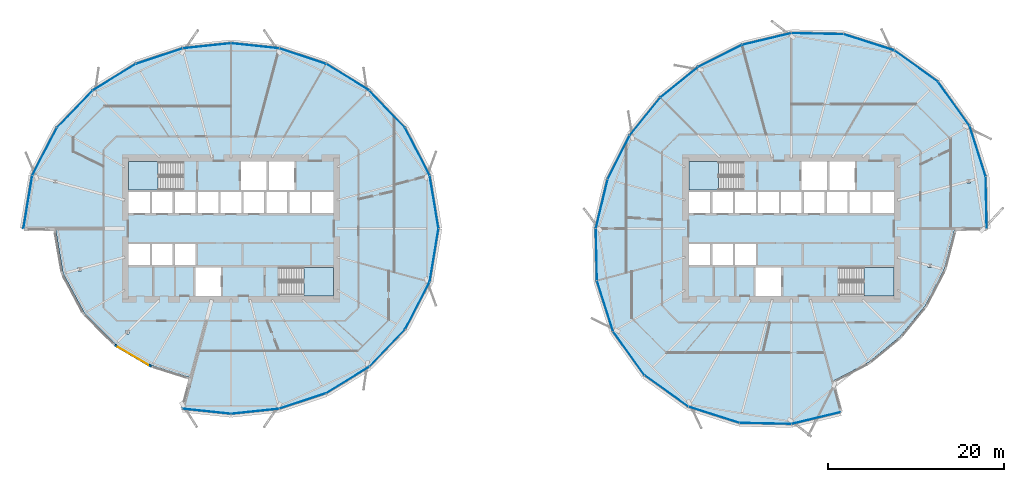
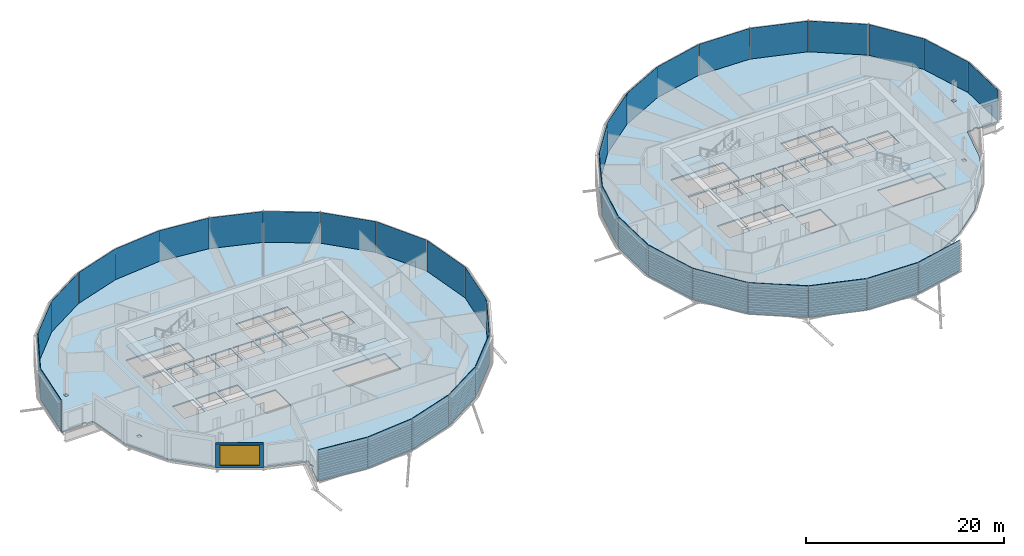
# One storey, part 19 of 39: 38 plates, 6 slabs, 1 wall, 1 window, 1 opening, 6 elements without a shape of their own.
"""IFC4 building model written with IfcOpenShell, lengths in metres."""

from ifc_helpers import new_model, si_unit, direction, frame, frame_2d, origin, origin_2d, place, context, subcontext, project, spatial, polyline, rectangle, outline, extrude, material, layer, layer_set, type_object, element, fill, aggregate, save


model = new_model("IFC4")

# Units and contexts
model_context = context("Model", 3, precision=1e-05, world=origin(), true_north=direction((0.0, 1.0)))
body_context = subcontext(model_context, "Body", "Model", "MODEL_VIEW")
ifc_project = project(units=[si_unit("LENGTHUNIT", "METRE"), si_unit("AREAUNIT", "SQUARE_METRE"), si_unit("VOLUMEUNIT", "CUBIC_METRE"), si_unit("PLANEANGLEUNIT", "RADIAN"), si_unit("MASSUNIT", "GRAM", prefix="KILO")], contexts=[model_context])

# Site, building, storey
site_placement = place(None, origin())
site = spatial("IfcSite", under=ifc_project, at=site_placement, CompositionType="ELEMENT")
building_placement = place(site_placement, origin())
building = spatial("IfcBuilding", under=site, at=building_placement, Name="Rimbun Link Towers", CompositionType="ELEMENT")
storey_placement = place(building_placement, frame((0.0, 0.0, 100.60009765625)))
storey = spatial("IfcBuildingStorey", under=building, at=storey_placement, Name="L24", CompositionType="ELEMENT", Elevation=100.60009765625)

# Slabs
ifc_material_1 = material(Name="Concrete C35/45", Category="concrete")
ifc_layer_1 = layer(ifc_material_1, 0.159912109375)
ifc_layer_set_1 = layer_set([ifc_layer_1], Name="COMPOSITE FLOOR 160")
slab_type_1 = type_object("IfcSlabType", Name="COMPOSITE FLOOR 160", PredefinedType="FLOOR", material=ifc_layer_set_1)
slab_1_placement = place(storey_placement, frame((0.0, 0.0, -0.16015625)))
element("IfcSlab", 1, at=slab_1_placement, inside=storey, type_object=slab_type_1, Name="Floor slab T1 L24", PredefinedType="FLOOR", context=body_context, shape_type="SweptSolid", body=[
    extrude(outline(polyline([(-55.244384765625, 0.0), (-54.252685546875, 6.029541015625), (-51.47900390625, 11.390380859375), (-47.397705078125, 15.647705078125), (-42.514892578125, 18.6455078125), (-37.216552734375, 20.4013671875), (-31.75, 20.97705078125), (-26.283447265625, 20.4013671875), (-20.985107421875, 18.6455078125), (-16.102294921875, 15.647705078125), (-12.02099609375, 11.390380859375), (-9.247314453125, 6.029541015625), (-8.255615234375, 0.0), (-9.247314453125, -6.029541015625), (-12.02099609375, -11.390380859375), (-16.102294921875, -15.647705078125), (-20.985107421875, -18.6455078125), (-26.283447265625, -20.4013671875), (-31.75, -20.97705078125), (-37.216552734375, -20.4013671875), (-36.580810546875, -18.029296875), (-36.32861328125, -18.029296875), (-36.32861328125, -17.6357421875), (-36.4755859375, -17.6357421875), (-36.284912109375, -16.924072265625), (-40.715087890625, -15.52783203125), (-44.85205078125, -13.10205078125), (-48.361083984375, -9.590576171875), (-50.775390625, -5.097900390625), (-51.644287109375, 0.0), (-52.363525390625, 0.0), (-52.363525390625, 0.19677734375), (-52.7626953125, 0.19677734375), (-52.7626953125, 0.0), (-55.244384765625, 0.0)]), holes=[polyline([(-43.294921875, -11.94140625), (-43.294921875, -11.547607421875), (-43.694091796875, -11.547607421875), (-43.694091796875, -11.94140625), (-43.294921875, -11.94140625)]), polyline([(-48.6826171875, -4.787353515625), (-48.6826171875, -4.393798828125), (-49.081787109375, -4.393798828125), (-49.081787109375, -4.787353515625), (-48.6826171875, -4.787353515625)]), polyline([(-40.95556640625, -4.14990234375), (-40.95556640625, -1.75), (-43.375, -1.75), (-43.375, -4.14990234375), (-40.95556640625, -4.14990234375)]), polyline([(-40.70556640625, -4.14990234375), (-38.361083984375, -4.14990234375), (-38.361083984375, -1.75), (-40.70556640625, -1.75), (-40.70556640625, -4.14990234375)]), polyline([(-38.111083984375, -4.14990234375), (-35.7666015625, -4.14990234375), (-35.7666015625, -1.75), (-38.111083984375, -1.75), (-38.111083984375, -4.14990234375)]), polyline([(-43.375, 1.75), (-40.95556640625, 1.75), (-40.95556640625, 4.14990234375), (-43.375, 4.14990234375), (-43.375, 1.75)]), polyline([(-40.70556640625, 1.75), (-38.361083984375, 1.75), (-38.361083984375, 4.14990234375), (-40.70556640625, 4.14990234375), (-40.70556640625, 1.75)]), polyline([(-35.7666015625, 1.75), (-35.7666015625, 4.14990234375), (-38.111083984375, 4.14990234375), (-38.111083984375, 1.75), (-35.7666015625, 1.75)]), polyline([(-51.86279296875, 5.138916015625), (-51.4638671875, 5.138916015625), (-51.4638671875, 5.532470703125), (-51.86279296875, 5.532470703125), (-51.86279296875, 5.138916015625)]), polyline([(-43.375, 4.39990234375), (-37.260009765625, 4.39990234375), (-37.260009765625, 7.625), (-43.375, 7.625), (-43.375, 4.39990234375)]), polyline([(-32.89990234375, -7.625), (-32.89990234375, -4.39990234375), (-35.800048828125, -4.39990234375), (-35.800048828125, -7.625), (-32.89990234375, -7.625)]), polyline([(-20.125, -7.625), (-20.125, -4.39990234375), (-26.239990234375, -4.39990234375), (-26.239990234375, -7.625), (-20.125, -7.625)]), polyline([(-35.5166015625, 1.75), (-33.172119140625, 1.75), (-33.172119140625, 4.14990234375), (-35.5166015625, 4.14990234375), (-35.5166015625, 1.75)]), polyline([(-32.922119140625, 1.75), (-30.577880859375, 1.75), (-30.577880859375, 4.14990234375), (-32.922119140625, 4.14990234375), (-32.922119140625, 1.75)]), polyline([(-27.9833984375, 1.75), (-27.9833984375, 4.14990234375), (-30.327880859375, 4.14990234375), (-30.327880859375, 1.75), (-27.9833984375, 1.75)]), polyline([(-27.7333984375, 1.75), (-25.388916015625, 1.75), (-25.388916015625, 4.14990234375), (-27.7333984375, 4.14990234375), (-27.7333984375, 1.75)]), polyline([(-25.138916015625, 1.75), (-22.79443359375, 1.75), (-22.79443359375, 4.14990234375), (-25.138916015625, 4.14990234375), (-25.138916015625, 1.75)]), polyline([(-20.125, 1.75), (-20.125, 4.14990234375), (-22.54443359375, 4.14990234375), (-22.54443359375, 1.75), (-20.125, 1.75)]), polyline([(-30.60009765625, 4.39990234375), (-27.699951171875, 4.39990234375), (-27.699951171875, 7.625), (-30.60009765625, 7.625), (-30.60009765625, 4.39990234375)]), polyline([(-27.449951171875, 4.39990234375), (-24.550048828125, 4.39990234375), (-24.550048828125, 7.625), (-27.449951171875, 7.625), (-27.449951171875, 4.39990234375)])]), origin(), (0.0, 0.0, 1.0), 0.16015625),
])
slab_2_placement = place(storey_placement, frame((0.0, 0.0, -0.16015625)))
element("IfcSlab", 2, at=slab_2_placement, inside=storey, type_object=slab_type_1, Name="Floor slab T2 L24", PredefinedType="FLOOR", context=body_context, shape_type="SweptSolid", body=[
    extrude(outline(polyline([(50.279052734375, 0.0), (49.069091796875, -4.640625), (46.923583984375, -8.760498046875), (44.037353515625, -12.287353515625), (40.510498046875, -15.173583984375), (36.390625, -17.319091796875), (37.322509765625, -20.79638671875), (31.75, -22.12890625), (25.853759765625, -22.0048828125), (20.101806640625, -20.175537109375), (15.136962890625, -16.613037109375), (11.574462890625, -11.648193359375), (9.7451171875, -5.896240234375), (9.62109375, 0.0), (10.95361328125, 5.572509765625), (13.458740234375, 10.560546875), (16.9169921875, 14.8330078125), (21.189453125, 18.291259765625), (26.177490234375, 20.79638671875), (31.75, 22.12890625), (37.646240234375, 22.0048828125), (43.398193359375, 20.175537109375), (48.363037109375, 16.613037109375), (51.925537109375, 11.648193359375), (53.7548828125, 5.896240234375), (53.87890625, 0.0), (51.475830078125, 0.0), (51.475830078125, 0.19677734375), (51.076904296875, 0.19677734375), (51.076904296875, 0.0), (50.279052734375, 0.0)]), holes=[polyline([(30.60009765625, -7.625), (30.60009765625, -4.39990234375), (27.699951171875, -4.39990234375), (27.699951171875, -7.625), (30.60009765625, -7.625)]), polyline([(22.54443359375, -4.14990234375), (22.54443359375, -1.75), (20.125, -1.75), (20.125, -4.14990234375), (22.54443359375, -4.14990234375)]), polyline([(25.138916015625, -4.14990234375), (25.138916015625, -1.75), (22.79443359375, -1.75), (22.79443359375, -4.14990234375), (25.138916015625, -4.14990234375)]), polyline([(25.388916015625, -4.14990234375), (27.7333984375, -4.14990234375), (27.7333984375, -1.75), (25.388916015625, -1.75), (25.388916015625, -4.14990234375)]), polyline([(20.125, 1.75), (22.54443359375, 1.75), (22.54443359375, 4.14990234375), (20.125, 4.14990234375), (20.125, 1.75)]), polyline([(25.138916015625, 1.75), (25.138916015625, 4.14990234375), (22.79443359375, 4.14990234375), (22.79443359375, 1.75), (25.138916015625, 1.75)]), polyline([(27.7333984375, 1.75), (27.7333984375, 4.14990234375), (25.388916015625, 4.14990234375), (25.388916015625, 1.75), (27.7333984375, 1.75)]), polyline([(30.327880859375, 1.75), (30.327880859375, 4.14990234375), (27.9833984375, 4.14990234375), (27.9833984375, 1.75), (30.327880859375, 1.75)]), polyline([(30.577880859375, 1.75), (32.922119140625, 1.75), (32.922119140625, 4.14990234375), (30.577880859375, 4.14990234375), (30.577880859375, 1.75)]), polyline([(20.125, 4.39990234375), (26.239990234375, 4.39990234375), (26.239990234375, 7.625), (20.125, 7.625), (20.125, 4.39990234375)]), polyline([(43.375, -7.625), (43.375, -4.39990234375), (37.260009765625, -4.39990234375), (37.260009765625, -7.625), (43.375, -7.625)]), polyline([(47.659423828125, -4.40625), (47.659423828125, -4.0126953125), (47.260498046875, -4.0126953125), (47.260498046875, -4.40625), (47.659423828125, -4.40625)]), polyline([(33.172119140625, 1.75), (35.5166015625, 1.75), (35.5166015625, 4.14990234375), (33.172119140625, 4.14990234375), (33.172119140625, 1.75)]), polyline([(35.7666015625, 1.75), (38.111083984375, 1.75), (38.111083984375, 4.14990234375), (35.7666015625, 4.14990234375), (35.7666015625, 1.75)]), polyline([(40.70556640625, 1.75), (40.70556640625, 4.14990234375), (38.361083984375, 4.14990234375), (38.361083984375, 1.75), (40.70556640625, 1.75)]), polyline([(43.375, 1.75), (43.375, 4.14990234375), (40.95556640625, 4.14990234375), (40.95556640625, 1.75), (43.375, 1.75)]), polyline([(52.039794921875, 5.186279296875), (52.039794921875, 5.580078125), (51.640625, 5.580078125), (51.640625, 5.186279296875), (52.039794921875, 5.186279296875)]), polyline([(32.89990234375, 4.39990234375), (35.800048828125, 4.39990234375), (35.800048828125, 7.625), (32.89990234375, 7.625), (32.89990234375, 4.39990234375)]), polyline([(36.050048828125, 4.39990234375), (38.949951171875, 4.39990234375), (38.949951171875, 7.625), (36.050048828125, 7.625), (36.050048828125, 4.39990234375)])]), origin(), (0.0, 0.0, 1.0), 0.16015625),
])

# Curtain wall, plates
ifc_material_2 = material(Name="Aluminium 6063-T6 and low-iron glass", Category="aluminium")
curtain_wall_type = type_object("IfcCurtainWallType", Name="CW1-Z2 unitised vision wall (zone 2)", PredefinedType="NOTDEFINED", material=ifc_material_2)
curtain_wall_1_placement = place(storey_placement, origin())
curtain_wall_1 = element("IfcCurtainWall", 3, at=curtain_wall_1_placement, inside=storey, type_object=curtain_wall_type, Name="CW1 L24 T1", PredefinedType="NOTDEFINED")
ifc_material_3 = material(Name="Low-iron glass, laminated low-e unit", Category="glass")
ifc_layer_2 = layer(ifc_material_3, 0.028076171875)
ifc_layer_set_2 = layer_set([ifc_layer_2], Name="CW1 panel Low-iron glass 28")
plate_type = type_object("IfcPlateType", Name="CW1 panel Low-iron glass 28", PredefinedType="CURTAIN_PANEL", material=ifc_layer_set_2)
plate_1_placement = place(storey_placement, frame((-8.737548828125, 3.01708984375, 0.0), z_axis=(0.0, 0.0, 1.0), x_axis=(0.162259642251, -0.986748097792, 0.0)))
plate_1 = element("IfcPlate", 4, at=plate_1_placement, type_object=plate_type, Name="CW1 panel", PredefinedType="CURTAIN_PANEL", context=body_context, shape_type="SweptSolid", body=[
    extrude(rectangle(XDim=6.070556640625, YDim=0.028076171875, at=origin_2d()), origin(), (0.0, 0.0, 1.0), 3.800048828125),
])
plate_2_placement = place(storey_placement, frame((-10.621826171875, 8.716552734375, 0.0), z_axis=(0.0, 0.0, 1.0), x_axis=(0.45955632125, -0.888148629228, 0.0)))
plate_2 = element("IfcPlate", 5, at=plate_2_placement, type_object=plate_type, Name="CW1 panel", PredefinedType="CURTAIN_PANEL", context=body_context, shape_type="SweptSolid", body=[
    extrude(rectangle(XDim=5.99609375, YDim=0.028076171875, at=origin_2d()), origin(), (0.0, 0.0, 1.0), 3.800048828125),
])
plate_3_placement = place(storey_placement, frame((-14.0517578125, 13.52880859375, 0.0), z_axis=(0.0, 0.0, 1.0), x_axis=(0.692044930546, -0.721854427226, 0.0)))
plate_3 = element("IfcPlate", 6, at=plate_3_placement, type_object=plate_type, Name="CW1 panel", PredefinedType="CURTAIN_PANEL", context=body_context, shape_type="SweptSolid", body=[
    extrude(rectangle(XDim=5.857421875, YDim=0.028076171875, at=origin_2d()), origin(), (0.0, 0.0, 1.0), 3.800048828125),
])
plate_4_placement = place(storey_placement, frame((-18.536376953125, 17.158447265625, 0.0), z_axis=(0.0, 0.0, 1.0), x_axis=(0.852185835011, -0.523239240316, 0.0)))
plate_4 = element("IfcPlate", 7, at=plate_4_placement, type_object=plate_type, Name="CW1 panel", PredefinedType="CURTAIN_PANEL", context=body_context, shape_type="SweptSolid", body=[
    extrude(rectangle(XDim=5.689453125, YDim=0.028076171875, at=origin_2d()), origin(), (0.0, 0.0, 1.0), 3.800048828125),
])
plate_5_placement = place(storey_placement, frame((-23.6298828125, 19.53662109375, 0.0), z_axis=(0.0, 0.0, 1.0), x_axis=(0.949238989505, -0.314555783293, 0.0)))
plate_5 = element("IfcPlate", 8, at=plate_5_placement, type_object=plate_type, Name="CW1 panel", PredefinedType="CURTAIN_PANEL", context=body_context, shape_type="SweptSolid", body=[
    extrude(rectangle(XDim=5.541748046875, YDim=0.028076171875, at=origin_2d()), origin(), (0.0, 0.0, 1.0), 3.800048828125),
])
plate_6_placement = place(storey_placement, frame((-29.015380859375, 20.703125, 0.0), z_axis=(0.0, 0.0, 1.0), x_axis=(0.994500168315, -0.104734976112, 0.0)))
plate_6 = element("IfcPlate", 9, at=plate_6_placement, type_object=plate_type, Name="CW1 panel", PredefinedType="CURTAIN_PANEL", context=body_context, shape_type="SweptSolid", body=[
    extrude(rectangle(XDim=5.456787109375, YDim=0.028076171875, at=origin_2d()), origin(), (0.0, 0.0, 1.0), 3.800048828125),
])
plate_7_placement = place(storey_placement, frame((-34.484619140625, 20.703125, 0.0), z_axis=(0.0, 0.0, 1.0), x_axis=(0.994500168315, 0.104734976112, 0.0)))
plate_7 = element("IfcPlate", 10, at=plate_7_placement, type_object=plate_type, Name="CW1 panel", PredefinedType="CURTAIN_PANEL", context=body_context, shape_type="SweptSolid", body=[
    extrude(rectangle(XDim=5.456787109375, YDim=0.028076171875, at=origin_2d()), origin(), (0.0, 0.0, 1.0), 3.800048828125),
])
plate_8_placement = place(storey_placement, frame((-39.8701171875, 19.53662109375, 0.0), z_axis=(0.0, 0.0, 1.0), x_axis=(0.949238989505, 0.314555783293, 0.0)))
plate_8 = element("IfcPlate", 11, at=plate_8_placement, type_object=plate_type, Name="CW1 panel", PredefinedType="CURTAIN_PANEL", context=body_context, shape_type="SweptSolid", body=[
    extrude(rectangle(XDim=5.541748046875, YDim=0.028076171875, at=origin_2d()), origin(), (0.0, 0.0, 1.0), 3.800048828125),
])
plate_9_placement = place(storey_placement, frame((-44.963623046875, 17.158447265625, 0.0), z_axis=(0.0, 0.0, 1.0), x_axis=(0.852185835011, 0.523239240316, 0.0)))
plate_9 = element("IfcPlate", 12, at=plate_9_placement, type_object=plate_type, Name="CW1 panel", PredefinedType="CURTAIN_PANEL", context=body_context, shape_type="SweptSolid", body=[
    extrude(rectangle(XDim=5.689453125, YDim=0.028076171875, at=origin_2d()), origin(), (0.0, 0.0, 1.0), 3.800048828125),
])
plate_10_placement = place(storey_placement, frame((-49.4482421875, 13.52880859375, 0.0), z_axis=(0.0, 0.0, 1.0), x_axis=(0.692044930546, 0.721854427226, 0.0)))
plate_10 = element("IfcPlate", 13, at=plate_10_placement, type_object=plate_type, Name="CW1 panel", PredefinedType="CURTAIN_PANEL", context=body_context, shape_type="SweptSolid", body=[
    extrude(rectangle(XDim=5.857421875, YDim=0.028076171875, at=origin_2d()), origin(), (0.0, 0.0, 1.0), 3.800048828125),
])
plate_11_placement = place(storey_placement, frame((-52.878173828125, 8.716552734375, 0.0), z_axis=(0.0, 0.0, 1.0), x_axis=(0.45955632125, 0.888148629228, 0.0)))
plate_11 = element("IfcPlate", 14, at=plate_11_placement, type_object=plate_type, Name="CW1 panel", PredefinedType="CURTAIN_PANEL", context=body_context, shape_type="SweptSolid", body=[
    extrude(rectangle(XDim=5.99609375, YDim=0.028076171875, at=origin_2d()), origin(), (0.0, 0.0, 1.0), 3.800048828125),
])
plate_12_placement = place(storey_placement, frame((-54.762451171875, 3.01708984375, 0.0), z_axis=(0.0, 0.0, 1.0), x_axis=(0.162259642251, 0.986748097792, 0.0)))
plate_12 = element("IfcPlate", 15, at=plate_12_placement, type_object=plate_type, Name="CW1 panel", PredefinedType="CURTAIN_PANEL", context=body_context, shape_type="SweptSolid", body=[
    extrude(rectangle(XDim=6.070556640625, YDim=0.028076171875, at=origin_2d()), origin(), (0.0, 0.0, 1.0), 3.800048828125),
])
plate_13_placement = place(storey_placement, frame((-34.484619140625, -20.703125, 0.0), z_axis=(0.0, 0.0, 1.0), x_axis=(-0.994500168315, 0.104734976112, 0.0)))
plate_13 = element("IfcPlate", 16, at=plate_13_placement, type_object=plate_type, Name="CW1 panel", PredefinedType="CURTAIN_PANEL", context=body_context, shape_type="SweptSolid", body=[
    extrude(rectangle(XDim=5.456787109375, YDim=0.028076171875, at=origin_2d()), origin(), (0.0, 0.0, 1.0), 3.800048828125),
])
plate_14_placement = place(storey_placement, frame((-29.015380859375, -20.703125, 0.0), z_axis=(0.0, 0.0, 1.0), x_axis=(-0.994500168315, -0.104734976112, 0.0)))
plate_14 = element("IfcPlate", 17, at=plate_14_placement, type_object=plate_type, Name="CW1 panel", PredefinedType="CURTAIN_PANEL", context=body_context, shape_type="SweptSolid", body=[
    extrude(rectangle(XDim=5.456787109375, YDim=0.028076171875, at=origin_2d()), origin(), (0.0, 0.0, 1.0), 3.800048828125),
])
plate_15_placement = place(storey_placement, frame((-23.6298828125, -19.53662109375, 0.0), z_axis=(0.0, 0.0, 1.0), x_axis=(-0.949238989505, -0.314555783293, 0.0)))
plate_15 = element("IfcPlate", 18, at=plate_15_placement, type_object=plate_type, Name="CW1 panel", PredefinedType="CURTAIN_PANEL", context=body_context, shape_type="SweptSolid", body=[
    extrude(rectangle(XDim=5.541748046875, YDim=0.028076171875, at=origin_2d()), origin(), (0.0, 0.0, 1.0), 3.800048828125),
])
plate_16_placement = place(storey_placement, frame((-18.536376953125, -17.158447265625, 0.0), z_axis=(0.0, 0.0, 1.0), x_axis=(-0.852185835011, -0.523239240316, 0.0)))
plate_16 = element("IfcPlate", 19, at=plate_16_placement, type_object=plate_type, Name="CW1 panel", PredefinedType="CURTAIN_PANEL", context=body_context, shape_type="SweptSolid", body=[
    extrude(rectangle(XDim=5.689453125, YDim=0.028076171875, at=origin_2d()), origin(), (0.0, 0.0, 1.0), 3.800048828125),
])
plate_17_placement = place(storey_placement, frame((-14.0517578125, -13.52880859375, 0.0), z_axis=(0.0, 0.0, 1.0), x_axis=(-0.692044930546, -0.721854427226, 0.0)))
plate_17 = element("IfcPlate", 20, at=plate_17_placement, type_object=plate_type, Name="CW1 panel", PredefinedType="CURTAIN_PANEL", context=body_context, shape_type="SweptSolid", body=[
    extrude(rectangle(XDim=5.857421875, YDim=0.028076171875, at=origin_2d()), origin(), (0.0, 0.0, 1.0), 3.800048828125),
])
plate_18_placement = place(storey_placement, frame((-10.621826171875, -8.716552734375, 0.0), z_axis=(0.0, 0.0, 1.0), x_axis=(-0.45955632125, -0.888148629228, 0.0)))
plate_18 = element("IfcPlate", 21, at=plate_18_placement, type_object=plate_type, Name="CW1 panel", PredefinedType="CURTAIN_PANEL", context=body_context, shape_type="SweptSolid", body=[
    extrude(rectangle(XDim=5.99609375, YDim=0.028076171875, at=origin_2d()), origin(), (0.0, 0.0, 1.0), 3.800048828125),
])
plate_19_placement = place(storey_placement, frame((-8.737548828125, -3.01708984375, 0.0), z_axis=(0.0, 0.0, 1.0), x_axis=(-0.162259642251, -0.986748097792, 0.0)))
plate_19 = element("IfcPlate", 22, at=plate_19_placement, type_object=plate_type, Name="CW1 panel", PredefinedType="CURTAIN_PANEL", context=body_context, shape_type="SweptSolid", body=[
    extrude(rectangle(XDim=6.070556640625, YDim=0.028076171875, at=origin_2d()), origin(), (0.0, 0.0, 1.0), 3.800048828125),
])
aggregate(curtain_wall_1, [plate_1, plate_2, plate_3, plate_4, plate_5, plate_6, plate_7, plate_8, plate_9, plate_10, plate_11, plate_12, plate_13, plate_14, plate_15, plate_16, plate_17, plate_18, plate_19])

curtain_wall_2_placement = place(storey_placement, origin())
curtain_wall_2 = element("IfcCurtainWall", 23, at=curtain_wall_2_placement, inside=storey, type_object=curtain_wall_type, Name="CW1 L24 T2", PredefinedType="NOTDEFINED")
plate_20_placement = place(storey_placement, frame((45.888916015625, 18.405517578125, 0.0), z_axis=(0.0, 0.0, 1.0), x_axis=(0.812471013588, -0.583001588402, 0.0)))
plate_20 = element("IfcPlate", 24, at=plate_20_placement, type_object=plate_type, Name="CW1 panel", PredefinedType="CURTAIN_PANEL", context=body_context, shape_type="SweptSolid", body=[
    extrude(rectangle(XDim=6.070556640625, YDim=0.028076171875, at=origin_2d()), origin(), (0.0, 0.0, 1.0), 3.800048828125),
])
plate_21_placement = place(storey_placement, frame((40.526611328125, 21.103515625, 0.0), z_axis=(0.0, 0.0, 1.0), x_axis=(0.952969504125, -0.30306620433, 0.0)))
plate_21 = element("IfcPlate", 25, at=plate_21_placement, type_object=plate_type, Name="CW1 panel", PredefinedType="CURTAIN_PANEL", context=body_context, shape_type="SweptSolid", body=[
    extrude(rectangle(XDim=5.99609375, YDim=0.028076171875, at=origin_2d()), origin(), (0.0, 0.0, 1.0), 3.800048828125),
])
plate_22_placement = place(storey_placement, frame((34.698486328125, 22.080810546875, 0.0), z_axis=(0.0, 0.0, 1.0), x_axis=(0.999778219026, -0.021059742681, 0.0)))
plate_22 = element("IfcPlate", 26, at=plate_22_placement, type_object=plate_type, Name="CW1 panel", PredefinedType="CURTAIN_PANEL", context=body_context, shape_type="SweptSolid", body=[
    extrude(rectangle(XDim=5.857421875, YDim=0.028076171875, at=origin_2d()), origin(), (0.0, 0.0, 1.0), 3.800048828125),
])
plate_23_placement = place(storey_placement, frame((28.96044921875, 21.476318359375, 0.0), z_axis=(0.0, 0.0, 1.0), x_axis=(0.972572197016, 0.232601207201, 0.0)))
plate_23 = element("IfcPlate", 27, at=plate_23_placement, type_object=plate_type, Name="CW1 panel", PredefinedType="CURTAIN_PANEL", context=body_context, shape_type="SweptSolid", body=[
    extrude(rectangle(XDim=5.689453125, YDim=0.028076171875, at=origin_2d()), origin(), (0.0, 0.0, 1.0), 3.800048828125),
])
plate_24_placement = place(storey_placement, frame((23.67724609375, 19.556396484375, 0.0), z_axis=(0.0, 0.0, 1.0), x_axis=(0.893641116942, 0.448782301468, 0.0)))
plate_24 = element("IfcPlate", 28, at=plate_24_placement, type_object=plate_type, Name="CW1 panel", PredefinedType="CURTAIN_PANEL", context=body_context, shape_type="SweptSolid", body=[
    extrude(rectangle(XDim=5.541748046875, YDim=0.028076171875, at=origin_2d()), origin(), (0.0, 0.0, 1.0), 3.800048828125),
])
plate_25_placement = place(storey_placement, frame((19.04443359375, 16.572998046875, 0.0), z_axis=(0.0, 0.0, 1.0), x_axis=(0.777279609946, 0.629155313069, 0.0)))
plate_25 = element("IfcPlate", 29, at=plate_25_placement, type_object=plate_type, Name="CW1 panel", PredefinedType="CURTAIN_PANEL", context=body_context, shape_type="SweptSolid", body=[
    extrude(rectangle(XDim=5.456787109375, YDim=0.028076171875, at=origin_2d()), origin(), (0.0, 0.0, 1.0), 3.800048828125),
])
plate_26_placement = place(storey_placement, frame((15.177001953125, 12.70556640625, 0.0), z_axis=(0.0, 0.0, 1.0), x_axis=(0.629155313069, 0.777279609946, 0.0)))
plate_26 = element("IfcPlate", 30, at=plate_26_placement, type_object=plate_type, Name="CW1 panel", PredefinedType="CURTAIN_PANEL", context=body_context, shape_type="SweptSolid", body=[
    extrude(rectangle(XDim=5.456787109375, YDim=0.028076171875, at=origin_2d()), origin(), (0.0, 0.0, 1.0), 3.800048828125),
])
plate_27_placement = place(storey_placement, frame((12.193603515625, 8.07275390625, 0.0), z_axis=(0.0, 0.0, 1.0), x_axis=(0.448782301468, 0.893641116942, 0.0)))
plate_27 = element("IfcPlate", 31, at=plate_27_placement, type_object=plate_type, Name="CW1 panel", PredefinedType="CURTAIN_PANEL", context=body_context, shape_type="SweptSolid", body=[
    extrude(rectangle(XDim=5.541748046875, YDim=0.028076171875, at=origin_2d()), origin(), (0.0, 0.0, 1.0), 3.800048828125),
])
plate_28_placement = place(storey_placement, frame((10.273681640625, 2.78955078125, 0.0), z_axis=(0.0, 0.0, 1.0), x_axis=(0.232601207201, 0.972572197016, 0.0)))
plate_28 = element("IfcPlate", 32, at=plate_28_placement, type_object=plate_type, Name="CW1 panel", PredefinedType="CURTAIN_PANEL", context=body_context, shape_type="SweptSolid", body=[
    extrude(rectangle(XDim=5.689453125, YDim=0.028076171875, at=origin_2d()), origin(), (0.0, 0.0, 1.0), 3.800048828125),
])
plate_29_placement = place(storey_placement, frame((9.669189453125, -2.948486328125, 0.0), z_axis=(0.0, 0.0, 1.0), x_axis=(-0.021059742681, 0.999778219026, 0.0)))
plate_29 = element("IfcPlate", 33, at=plate_29_placement, type_object=plate_type, Name="CW1 panel", PredefinedType="CURTAIN_PANEL", context=body_context, shape_type="SweptSolid", body=[
    extrude(rectangle(XDim=5.857421875, YDim=0.028076171875, at=origin_2d()), origin(), (0.0, 0.0, 1.0), 3.800048828125),
])
plate_30_placement = place(storey_placement, frame((10.646484375, -8.776611328125, 0.0), z_axis=(0.0, 0.0, 1.0), x_axis=(-0.30306620433, 0.952969504125, 0.0)))
plate_30 = element("IfcPlate", 34, at=plate_30_placement, type_object=plate_type, Name="CW1 panel", PredefinedType="CURTAIN_PANEL", context=body_context, shape_type="SweptSolid", body=[
    extrude(rectangle(XDim=5.99609375, YDim=0.028076171875, at=origin_2d()), origin(), (0.0, 0.0, 1.0), 3.800048828125),
])
plate_31_placement = place(storey_placement, frame((13.344482421875, -14.138916015625, 0.0), z_axis=(0.0, 0.0, 1.0), x_axis=(-0.583001588402, 0.812471013588, 0.0)))
plate_31 = element("IfcPlate", 35, at=plate_31_placement, type_object=plate_type, Name="CW1 panel", PredefinedType="CURTAIN_PANEL", context=body_context, shape_type="SweptSolid", body=[
    extrude(rectangle(XDim=6.070556640625, YDim=0.028076171875, at=origin_2d()), origin(), (0.0, 0.0, 1.0), 3.800048828125),
])
plate_32_placement = place(storey_placement, frame((17.611083984375, -18.405517578125, 0.0), z_axis=(0.0, 0.0, 1.0), x_axis=(-0.812471013588, 0.583001588402, 0.0)))
plate_32 = element("IfcPlate", 36, at=plate_32_placement, type_object=plate_type, Name="CW1 panel", PredefinedType="CURTAIN_PANEL", context=body_context, shape_type="SweptSolid", body=[
    extrude(rectangle(XDim=6.070556640625, YDim=0.028076171875, at=origin_2d()), origin(), (0.0, 0.0, 1.0), 3.800048828125),
])
plate_33_placement = place(storey_placement, frame((22.973388671875, -21.103515625, 0.0), z_axis=(0.0, 0.0, 1.0), x_axis=(-0.952969504125, 0.30306620433, 0.0)))
plate_33 = element("IfcPlate", 37, at=plate_33_placement, type_object=plate_type, Name="CW1 panel", PredefinedType="CURTAIN_PANEL", context=body_context, shape_type="SweptSolid", body=[
    extrude(rectangle(XDim=5.99609375, YDim=0.028076171875, at=origin_2d()), origin(), (0.0, 0.0, 1.0), 3.800048828125),
])
plate_34_placement = place(storey_placement, frame((28.801513671875, -22.080810546875, 0.0), z_axis=(0.0, 0.0, 1.0), x_axis=(-0.999778219026, 0.021059742681, 0.0)))
plate_34 = element("IfcPlate", 38, at=plate_34_placement, type_object=plate_type, Name="CW1 panel", PredefinedType="CURTAIN_PANEL", context=body_context, shape_type="SweptSolid", body=[
    extrude(rectangle(XDim=5.857421875, YDim=0.028076171875, at=origin_2d()), origin(), (0.0, 0.0, 1.0), 3.800048828125),
])
plate_35_placement = place(storey_placement, frame((34.53955078125, -21.476318359375, 0.0), z_axis=(0.0, 0.0, 1.0), x_axis=(-0.972572197016, -0.232601207201, 0.0)))
plate_35 = element("IfcPlate", 39, at=plate_35_placement, type_object=plate_type, Name="CW1 panel", PredefinedType="CURTAIN_PANEL", context=body_context, shape_type="SweptSolid", body=[
    extrude(rectangle(XDim=5.689453125, YDim=0.028076171875, at=origin_2d()), origin(), (0.0, 0.0, 1.0), 3.800048828125),
])
plate_36_placement = place(storey_placement, frame((53.830810546875, 2.948486328125, 0.0), z_axis=(0.0, 0.0, 1.0), x_axis=(0.021059742681, -0.999778219026, 0.0)))
plate_36 = element("IfcPlate", 40, at=plate_36_placement, type_object=plate_type, Name="CW1 panel", PredefinedType="CURTAIN_PANEL", context=body_context, shape_type="SweptSolid", body=[
    extrude(rectangle(XDim=5.857421875, YDim=0.028076171875, at=origin_2d()), origin(), (0.0, 0.0, 1.0), 3.800048828125),
])
plate_37_placement = place(storey_placement, frame((52.853515625, 8.776611328125, 0.0), z_axis=(0.0, 0.0, 1.0), x_axis=(0.30306620433, -0.952969504125, 0.0)))
plate_37 = element("IfcPlate", 41, at=plate_37_placement, type_object=plate_type, Name="CW1 panel", PredefinedType="CURTAIN_PANEL", context=body_context, shape_type="SweptSolid", body=[
    extrude(rectangle(XDim=5.99609375, YDim=0.028076171875, at=origin_2d()), origin(), (0.0, 0.0, 1.0), 3.800048828125),
])
plate_38_placement = place(storey_placement, frame((50.155517578125, 14.138916015625, 0.0), z_axis=(0.0, 0.0, 1.0), x_axis=(0.583001588402, -0.812471013588, 0.0)))
plate_38 = element("IfcPlate", 42, at=plate_38_placement, type_object=plate_type, Name="CW1 panel", PredefinedType="CURTAIN_PANEL", context=body_context, shape_type="SweptSolid", body=[
    extrude(rectangle(XDim=6.070556640625, YDim=0.028076171875, at=origin_2d()), origin(), (0.0, 0.0, 1.0), 3.800048828125),
])
aggregate(curtain_wall_2, [plate_20, plate_21, plate_22, plate_23, plate_24, plate_25, plate_26, plate_27, plate_28, plate_29, plate_30, plate_31, plate_32, plate_33, plate_34, plate_35, plate_36, plate_37, plate_38])

# Stair, slab
ifc_material_4 = material(Name="Concrete C40/50", Category="concrete")
stair_type = type_object("IfcStairType", Name="Exit stair 3800 rise", PredefinedType="HALF_TURN_STAIR", material=ifc_material_4)
stair_1_placement = place(storey_placement, origin())
stair_1 = element("IfcStair", 43, at=stair_1_placement, inside=storey, type_object=stair_type, Name="L24 EXIT STAIR A", PredefinedType="HALF_TURN_STAIR")
ifc_material_5 = material(Name="Concrete C40/50", Category="concrete")
ifc_layer_3 = layer(ifc_material_5, 0.199951171875)
ifc_layer_set_3 = layer_set([ifc_layer_3], Name="Stair landing")
slab_type_2 = type_object("IfcSlabType", Name="Stair landing", PredefinedType="LANDING", material=ifc_layer_set_3)
slab_3_placement = place(storey_placement, frame((0.0, 0.0, 1.699951171875)))
slab_3 = element("IfcSlab", 44, at=slab_3_placement, type_object=slab_type_2, Name="ST1 landing 1", PredefinedType="LANDING", context=body_context, shape_type="SweptSolid", body=[
    extrude(outline(polyline([(-40.0, 7.625), (-43.375, 7.625), (-43.375, 4.39990234375), (-40.0, 4.39990234375), (-40.0, 7.625)])), origin(), (0.0, 0.0, 1.0), 0.199951171875),
])
aggregate(stair_1, [slab_3])

stair_2_placement = place(storey_placement, origin())
stair_2 = element("IfcStair", 45, at=stair_2_placement, inside=storey, type_object=stair_type, Name="L24 EXIT STAIR B", PredefinedType="HALF_TURN_STAIR")
slab_4_placement = place(storey_placement, frame((0.0, 0.0, 1.699951171875)))
slab_4 = element("IfcSlab", 46, at=slab_4_placement, type_object=slab_type_2, Name="ST2 landing 1", PredefinedType="LANDING", context=body_context, shape_type="SweptSolid", body=[
    extrude(outline(polyline([(-23.5, -7.625), (-20.125, -7.625), (-20.125, -4.39990234375), (-23.5, -4.39990234375), (-23.5, -7.625)])), origin(), (0.0, 0.0, 1.0), 0.199951171875),
])
aggregate(stair_2, [slab_4])

stair_3_placement = place(storey_placement, origin())
stair_3 = element("IfcStair", 47, at=stair_3_placement, inside=storey, type_object=stair_type, Name="L24 EXIT STAIR A", PredefinedType="HALF_TURN_STAIR")
slab_5_placement = place(storey_placement, frame((0.0, 0.0, 1.699951171875)))
slab_5 = element("IfcSlab", 48, at=slab_5_placement, type_object=slab_type_2, Name="ST3 landing 1", PredefinedType="LANDING", context=body_context, shape_type="SweptSolid", body=[
    extrude(outline(polyline([(23.5, 7.625), (20.125, 7.625), (20.125, 4.39990234375), (23.5, 4.39990234375), (23.5, 7.625)])), origin(), (0.0, 0.0, 1.0), 0.199951171875),
])
aggregate(stair_3, [slab_5])

stair_4_placement = place(storey_placement, origin())
stair_4 = element("IfcStair", 49, at=stair_4_placement, inside=storey, type_object=stair_type, Name="L24 EXIT STAIR B", PredefinedType="HALF_TURN_STAIR")
slab_6_placement = place(storey_placement, frame((0.0, 0.0, 1.699951171875)))
slab_6 = element("IfcSlab", 50, at=slab_6_placement, type_object=slab_type_2, Name="ST4 landing 1", PredefinedType="LANDING", context=body_context, shape_type="SweptSolid", body=[
    extrude(outline(polyline([(40.0, -7.625), (43.375, -7.625), (43.375, -4.39990234375), (40.0, -4.39990234375), (40.0, -7.625)])), origin(), (0.0, 0.0, 1.0), 0.199951171875),
])
aggregate(stair_4, [slab_6])

# Wall, opening, window
ifc_material_6 = material(Name="Dark enamelled glass spandrel on insulated aluminium backpan", Category="aluminium")
ifc_layer_4 = layer(ifc_material_6, 0.25)
ifc_layer_set_4 = layer_set([ifc_layer_4], Name="CS dark enamelled spandrel wall 250")
wall_type = type_object("IfcWallType", Name="CS dark enamelled spandrel wall 250", PredefinedType="STANDARD", material=ifc_layer_set_4)
wall_placement = place(storey_placement, frame((-40.76611328125, -15.642822265625, 0.0), z_axis=(0.0, 0.0, 1.0), x_axis=(-0.862618805527, 0.505854520935, 0.0)))
wall = element("IfcWall", 51, at=wall_placement, inside=storey, type_object=wall_type, Name="Crease spandrel wall", PredefinedType="STANDARD", context=body_context, shape_type="SweptSolid", body=[
    extrude(rectangle(XDim=4.825927734375, YDim=0.25, at=frame_2d((2.4130859375, 0.0))), origin(), (0.0, 0.0, 1.0), 2.9462890625),
])
opening_placement = place(wall_placement, frame((0.4130859375, 0.0, 0.300048828125)))
opening = element("IfcOpeningElement", 52, at=opening_placement, cuts=wall, Name="Opening WR40H245", PredefinedType="OPENING", context=body_context, shape_type="SweptSolid", body=[
    extrude(rectangle(XDim=4.0, YDim=2.449951171875, at=frame_2d((2.0, 1.22509765625))), frame((0.0, 0.135009765625, 0.0), z_axis=(0.0, -1.0, 0.0), x_axis=(1.0, 0.0, 0.0)), (0.0, 0.0, 1.0), 0.27001953125),
])
ifc_material_7 = material(Name="Aluminium framed fixed window, dark tinted low-e glass", Category="aluminium")
window_type = type_object("IfcWindowType", Name="WR ribbon window 4000X2450", PartitioningType="SINGLE_PANEL", PredefinedType="WINDOW", material=ifc_material_7)
window_placement = place(opening_placement, origin())
window = element("IfcWindow", 53, at=window_placement, inside=storey, type_object=window_type, Name="Crease ribbon window", OverallHeight=2.449951171875, OverallWidth=4.0, PartitioningType="SINGLE_PANEL", PredefinedType="WINDOW", context=body_context, shape_type="SweptSolid", body=[
    extrude(rectangle(XDim=4.0, YDim=2.449951171875, at=frame_2d((2.0, 1.22509765625))), frame((0.0, 0.030029296875, 0.0), z_axis=(0.0, -1.0, 0.0), x_axis=(1.0, 0.0, 0.0)), (0.0, 0.0, 1.0), 0.06005859375),
])
fill(opening, window)

save(model, "model.ifc")
